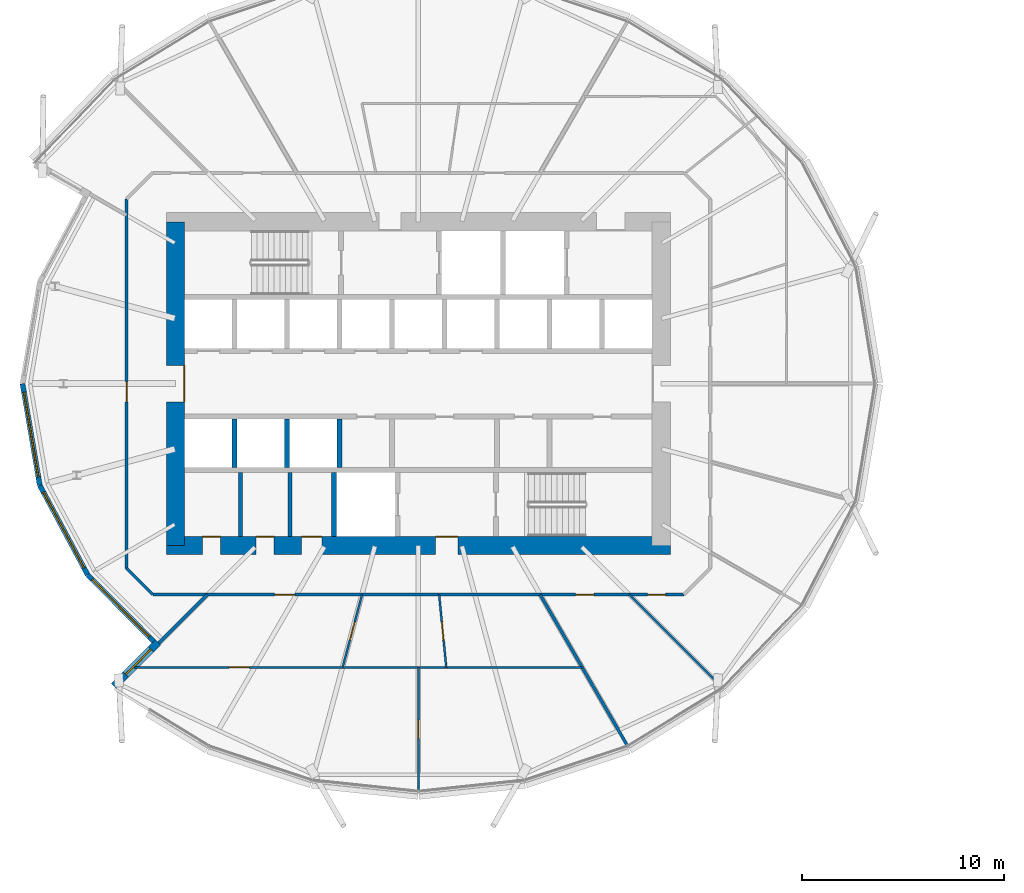
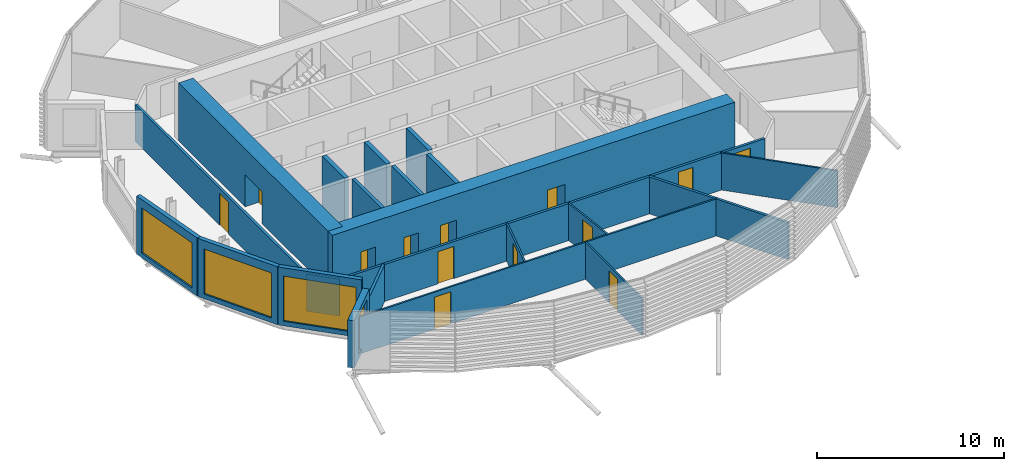
# One storey, part 20 of 38: 23 walls, 13 doors, 4 windows, 17 openings.
"""IFC4 building model written with IfcOpenShell, lengths in metres."""

from ifc_helpers import new_model, si_unit, direction, frame, frame_2d, origin, place, context, subcontext, project, spatial, rectangle, extrude, material, layer, layer_set, type_object, element, fill, save


model = new_model("IFC4")

# Units and contexts
model_context = context("Model", 3, precision=1e-05, world=origin(), true_north=direction((0.0, 1.0)))
body_context = subcontext(model_context, "Body", "Model", "MODEL_VIEW")
ifc_project = project(units=[si_unit("LENGTHUNIT", "METRE"), si_unit("AREAUNIT", "SQUARE_METRE"), si_unit("VOLUMEUNIT", "CUBIC_METRE"), si_unit("PLANEANGLEUNIT", "RADIAN"), si_unit("MASSUNIT", "GRAM", prefix="KILO")], contexts=[model_context])

# Site, building, storey
site_placement = place(None, origin())
site = spatial("IfcSite", under=ifc_project, at=site_placement, CompositionType="ELEMENT")
building_placement = place(site_placement, origin())
building = spatial("IfcBuilding", under=site, at=building_placement, Name="Rimbun Link Towers", CompositionType="ELEMENT")
storey_placement = place(building_placement, frame((0.0, 0.0, 49.0)))
storey = spatial("IfcBuildingStorey", under=building, at=storey_placement, Name="L11", CompositionType="ELEMENT", Elevation=49.0)

# Wall, opening, window
ifc_material_1 = material(Name="Dark enamelled glass spandrel on insulated aluminium backpan", Category="aluminium")
ifc_layer_1 = layer(ifc_material_1, 0.25)
ifc_layer_set_1 = layer_set([ifc_layer_1], Name="CS dark enamelled spandrel wall 250")
wall_type_1 = type_object("IfcWallType", Name="CS dark enamelled spandrel wall 250", PredefinedType="STANDARD", material=ifc_layer_set_1)
wall_1_placement = place(storey_placement, frame((-50.4658203125, -5.023681640625, 0.0), z_axis=(0.0, 0.0, 1.0), x_axis=(-0.167358464332, 0.985896112385, 0.0)))
wall_1 = element("IfcWall", 1, at=wall_1_placement, inside=storey, type_object=wall_type_1, Name="Crease spandrel wall", PredefinedType="STANDARD", context=body_context, shape_type="SweptSolid", body=[
    extrude(rectangle(XDim=5.095458984375, YDim=0.25, at=frame_2d((2.5478515625, 0.0))), origin(), (0.0, 0.0, 1.0), 3.800048828125),
])
opening_1_placement = place(wall_1_placement, frame((0.4228515625, 0.0, 0.300048828125)))
opening_1 = element("IfcOpeningElement", 2, at=opening_1_placement, cuts=wall_1, Name="Opening WR42H295", PredefinedType="OPENING", context=body_context, shape_type="SweptSolid", body=[
    extrude(rectangle(XDim=4.25, YDim=2.949951171875, at=frame_2d((2.125, 1.47509765625))), frame((0.0, 0.135009765625, 0.0), z_axis=(0.0, -1.0, 0.0), x_axis=(1.0, 0.0, 0.0)), (0.0, 0.0, 1.0), 0.27001953125),
])
ifc_material_2 = material(Name="Aluminium framed fixed window, dark tinted low-e glass", Category="aluminium")
window_type_1 = type_object("IfcWindowType", Name="WR ribbon window 4250X2950", PartitioningType="SINGLE_PANEL", PredefinedType="WINDOW", material=ifc_material_2)
window_1_placement = place(opening_1_placement, origin())
window_1 = element("IfcWindow", 3, at=window_1_placement, inside=storey, type_object=window_type_1, Name="Crease ribbon window", OverallHeight=2.949951171875, OverallWidth=4.25, PartitioningType="SINGLE_PANEL", PredefinedType="WINDOW", context=body_context, shape_type="SweptSolid", body=[
    extrude(rectangle(XDim=4.25, YDim=2.949951171875, at=frame_2d((2.125, 1.47509765625))), frame((0.0, 0.030029296875, 0.0), z_axis=(0.0, -1.0, 0.0), x_axis=(1.0, 0.0, 0.0)), (0.0, 0.0, 1.0), 0.06005859375),
])
fill(opening_1, window_1)

wall_2_placement = place(storey_placement, frame((-48.095947265625, -9.453857421875, 0.0), z_axis=(0.0, 0.0, 1.0), x_axis=(-0.47169003293, 0.8817644316, 0.0)))
wall_2 = element("IfcWall", 4, at=wall_2_placement, inside=storey, type_object=wall_type_1, Name="Crease spandrel wall", PredefinedType="STANDARD", context=body_context, shape_type="SweptSolid", body=[
    extrude(rectangle(XDim=5.024169921875, YDim=0.25, at=frame_2d((2.51220703125, 0.0))), origin(), (0.0, 0.0, 1.0), 3.800048828125),
])
opening_2_placement = place(wall_2_placement, frame((0.386962890625, 0.0, 0.300048828125)))
opening_2 = element("IfcOpeningElement", 5, at=opening_2_placement, cuts=wall_2, Name="Opening WR42H295", PredefinedType="OPENING", context=body_context, shape_type="SweptSolid", body=[
    extrude(rectangle(XDim=4.25, YDim=2.949951171875, at=frame_2d((2.125, 1.47509765625))), frame((0.0, 0.135009765625, 0.0), z_axis=(0.0, -1.0, 0.0), x_axis=(1.0, 0.0, 0.0)), (0.0, 0.0, 1.0), 0.27001953125),
])
window_2_placement = place(opening_2_placement, origin())
window_2 = element("IfcWindow", 6, at=window_2_placement, inside=storey, type_object=window_type_1, Name="Crease ribbon window", OverallHeight=2.949951171875, OverallWidth=4.25, PartitioningType="SINGLE_PANEL", PredefinedType="WINDOW", context=body_context, shape_type="SweptSolid", body=[
    extrude(rectangle(XDim=4.25, YDim=2.949951171875, at=frame_2d((2.125, 1.47509765625))), frame((0.0, 0.030029296875, 0.0), z_axis=(0.0, -1.0, 0.0), x_axis=(1.0, 0.0, 0.0)), (0.0, 0.0, 1.0), 0.06005859375),
])
fill(opening_2, window_2)

wall_3_placement = place(storey_placement, frame((-44.8359375, -12.732421875, 0.0), z_axis=(0.0, 0.0, 1.0), x_axis=(-0.70509736634, 0.709110501953, 0.0)))
wall_3 = element("IfcWall", 7, at=wall_3_placement, inside=storey, type_object=wall_type_1, Name="Crease spandrel wall", PredefinedType="STANDARD", context=body_context, shape_type="SweptSolid", body=[
    extrude(rectangle(XDim=4.62353515625, YDim=0.25, at=frame_2d((2.311767578125, 0.0))), origin(), (0.0, 0.0, 1.0), 3.800048828125),
])
opening_3_placement = place(wall_3_placement, frame((0.311767578125, 0.0, 0.300048828125)))
opening_3 = element("IfcOpeningElement", 8, at=opening_3_placement, cuts=wall_3, Name="Opening WR40H295", PredefinedType="OPENING", context=body_context, shape_type="SweptSolid", body=[
    extrude(rectangle(XDim=4.0, YDim=2.949951171875, at=frame_2d((2.0, 1.47509765625))), frame((0.0, 0.135009765625, 0.0), z_axis=(0.0, -1.0, 0.0), x_axis=(1.0, 0.0, 0.0)), (0.0, 0.0, 1.0), 0.27001953125),
])
ifc_material_3 = material(Name="Aluminium framed fixed window, dark tinted low-e glass", Category="aluminium")
window_type_2 = type_object("IfcWindowType", Name="WR ribbon window 4000X2950", PartitioningType="SINGLE_PANEL", PredefinedType="WINDOW", material=ifc_material_3)
window_3_placement = place(opening_3_placement, origin())
window_3 = element("IfcWindow", 9, at=window_3_placement, inside=storey, type_object=window_type_2, Name="Crease ribbon window", OverallHeight=2.949951171875, OverallWidth=4.0, PartitioningType="SINGLE_PANEL", PredefinedType="WINDOW", context=body_context, shape_type="SweptSolid", body=[
    extrude(rectangle(XDim=4.0, YDim=2.949951171875, at=frame_2d((2.0, 1.47509765625))), frame((0.0, 0.030029296875, 0.0), z_axis=(0.0, -1.0, 0.0), x_axis=(1.0, 0.0, 0.0)), (0.0, 0.0, 1.0), 0.06005859375),
])
fill(opening_3, window_3)

ifc_material_4 = material(Name="Dark enamelled glass spandrel on insulated aluminium backpan", Category="aluminium")
ifc_layer_2 = layer(ifc_material_4, 0.3701171875)
ifc_layer_set_2 = layer_set([ifc_layer_2], Name="CS dark enamelled spandrel wall 370")
wall_type_2 = type_object("IfcWallType", Name="CS dark enamelled spandrel wall 370", PredefinedType="STANDARD", material=ifc_layer_set_2)
wall_4_placement = place(storey_placement, frame((-46.794921875, -14.953125, 0.0), z_axis=(0.0, 0.0, 1.0), x_axis=(0.707067146267, 0.707146413884, 0.0)))
wall_4 = element("IfcWall", 10, at=wall_4_placement, inside=storey, type_object=wall_type_2, Name="Crease spandrel wall", PredefinedType="STANDARD", context=body_context, shape_type="SweptSolid", body=[
    extrude(rectangle(XDim=3.079833984375, YDim=0.3701171875, at=frame_2d((1.5400390625, 0.0))), origin(), (0.0, 0.0, 1.0), 3.0966796875),
])
opening_4_placement = place(wall_4_placement, frame((0.827880859375, 0.0, 0.300048828125)))
opening_4 = element("IfcOpeningElement", 11, at=opening_4_placement, cuts=wall_4, Name="Opening WR18H245", PredefinedType="OPENING", context=body_context, shape_type="SweptSolid", body=[
    extrude(rectangle(XDim=1.75, YDim=2.449951171875, at=frame_2d((0.875, 1.22509765625))), frame((0.0, 0.195068359375, 0.0), z_axis=(0.0, -1.0, 0.0), x_axis=(1.0, 0.0, 0.0)), (0.0, 0.0, 1.0), 0.39013671875),
])
ifc_material_5 = material(Name="Aluminium framed fixed window, dark tinted low-e glass", Category="aluminium")
window_type_3 = type_object("IfcWindowType", Name="WR ribbon window 1750X2450", PartitioningType="SINGLE_PANEL", PredefinedType="WINDOW", material=ifc_material_5)
window_4_placement = place(opening_4_placement, origin())
window_4 = element("IfcWindow", 12, at=window_4_placement, inside=storey, type_object=window_type_3, Name="Crease ribbon window", OverallHeight=2.449951171875, OverallWidth=1.75, PartitioningType="SINGLE_PANEL", PredefinedType="WINDOW", context=body_context, shape_type="SweptSolid", body=[
    extrude(rectangle(XDim=1.75, YDim=2.449951171875, at=frame_2d((0.875, 1.22509765625))), frame((0.0, 0.030029296875, 0.0), z_axis=(0.0, -1.0, 0.0), x_axis=(1.0, 0.0, 0.0)), (0.0, 0.0, 1.0), 0.06005859375),
])
fill(opening_4, window_4)

# Walls
ifc_material_6 = material(Name="Masonry blockwork", Category="masonry")
ifc_layer_3 = layer(ifc_material_6, 0.199951171875)
ifc_layer_set_3 = layer_set([ifc_layer_3], Name="Core partition 200")
wall_type_3 = type_object("IfcWallType", Name="Core partition 200", PredefinedType="PARTITIONING", material=ifc_layer_set_3)
for number, where, z_axis, x_axis, name in (
    (13, (-40.550048828125, -4.39990234375, 0.0), (0.0, 0.0, 1.0), (0.0, -1.0, 0.0), "L11 T1 core wall C1"),
    (14, (-38.10009765625, -4.39990234375, 0.0), (0.0, 0.0, 1.0), (0.0, -1.0, 0.0), "L11 T1 core wall C2"),
):
    element("IfcWall", number, at=place(storey_placement, frame(where, z_axis=z_axis, x_axis=x_axis)), inside=storey, type_object=wall_type_3, Name=name, PredefinedType="PARTITIONING", context=body_context, shape_type="SweptSolid", body=[
        extrude(rectangle(XDim=3.150146484375, YDim=0.199951171875, at=frame_2d((1.5751953125, 0.0))), origin(), (0.0, 0.0, 1.0), 3.800048828125),
    ])

# Wall, openings, doors
ifc_material_7 = material(Name="Concrete C60/75", Category="concrete")
ifc_layer_4 = layer(ifc_material_7, 0.89990234375)
ifc_layer_set_4 = layer_set([ifc_layer_4], Name="Core shear wall 900")
wall_type_4 = type_object("IfcWallType", Name="Core shear wall 900", PredefinedType="SHEAR", material=ifc_layer_set_4)
wall_5_placement = place(storey_placement, frame((-44.199951171875, -8.0, 0.0), z_axis=(0.0, 0.0, 1.0), x_axis=(1.0, 0.0, 0.0)))
wall_5 = element("IfcWall", 15, at=wall_5_placement, inside=storey, type_object=wall_type_4, Name="L11 T1 core wall S", PredefinedType="SHEAR", context=body_context, shape_type="SweptSolid", body=[
    extrude(rectangle(XDim=24.89990234375, YDim=0.89990234375, at=frame_2d((12.449951171875, 0.0))), origin(), (0.0, 0.0, 1.0), 3.800048828125),
])
opening_5_placement = place(wall_5_placement, frame((13.300048828125, 0.0, 0.0)))
opening_5 = element("IfcOpeningElement", 16, at=opening_5_placement, cuts=wall_5, Name="Opening C1DCF01S", PredefinedType="OPENING", context=body_context, shape_type="SweptSolid", body=[
    extrude(rectangle(XDim=1.10009765625, YDim=2.10009765625, at=frame_2d((0.550048828125, 1.050048828125))), frame((0.0, 0.4599609375, 0.0), z_axis=(0.0, -1.0, 0.0), x_axis=(1.0, 0.0, 0.0)), (0.0, 0.0, 1.0), 0.919921875),
])
opening_6_placement = place(wall_5_placement, frame((1.77490234375, 0.0, 0.0)))
opening_6 = element("IfcOpeningElement", 17, at=opening_6_placement, cuts=wall_5, Name="Opening C1DWC02S", PredefinedType="OPENING", context=body_context, shape_type="SweptSolid", body=[
    extrude(rectangle(XDim=0.89990234375, YDim=2.10009765625, at=frame_2d((0.449951171875, 1.050048828125))), frame((0.0, 0.4599609375, 0.0), z_axis=(0.0, -1.0, 0.0), x_axis=(1.0, 0.0, 0.0)), (0.0, 0.0, 1.0), 0.919921875),
])
opening_7_placement = place(wall_5_placement, frame((4.425048828125, 0.0, 0.0)))
opening_7 = element("IfcOpeningElement", 18, at=opening_7_placement, cuts=wall_5, Name="Opening C1DWC03S", PredefinedType="OPENING", context=body_context, shape_type="SweptSolid", body=[
    extrude(rectangle(XDim=0.89990234375, YDim=2.10009765625, at=frame_2d((0.449951171875, 1.050048828125))), frame((0.0, 0.4599609375, 0.0), z_axis=(0.0, -1.0, 0.0), x_axis=(1.0, 0.0, 0.0)), (0.0, 0.0, 1.0), 0.919921875),
])
opening_8_placement = place(wall_5_placement, frame((6.675048828125, 0.0, 0.0)))
opening_8 = element("IfcOpeningElement", 19, at=opening_8_placement, cuts=wall_5, Name="Opening C1DAW04S", PredefinedType="OPENING", context=body_context, shape_type="SweptSolid", body=[
    extrude(rectangle(XDim=1.0, YDim=2.10009765625, at=frame_2d((0.5, 1.050048828125))), frame((0.0, 0.4599609375, 0.0), z_axis=(0.0, -1.0, 0.0), x_axis=(1.0, 0.0, 0.0)), (0.0, 0.0, 1.0), 0.919921875),
])
ifc_material_8 = material(Name="Timber", Category="wood")
door_type_1 = type_object("IfcDoorType", Name="Accessible WC door", OperationType="SINGLE_SWING_LEFT", PredefinedType="DOOR", material=ifc_material_8)
door_1_placement = place(opening_8_placement, origin())
door_1 = element("IfcDoor", 20, at=door_1_placement, inside=storey, type_object=door_type_1, Name="L11 T1 accessible wc door", OperationType="SINGLE_SWING_RIGHT", OverallHeight=2.10009765625, OverallWidth=1.0, PredefinedType="DOOR", context=body_context, shape_type="SweptSolid", body=[
    extrude(rectangle(XDim=1.0, YDim=2.10009765625, at=frame_2d((0.5, 1.050048828125))), frame((0.0, 0.4501953125, 0.0), z_axis=(0.0, -1.0, 0.0), x_axis=(1.0, 0.0, 0.0)), (0.0, 0.0, 1.0), 0.050048828125),
])
fill(opening_8, door_1)
ifc_material_9 = material(Name="Steel fire door set", Category="steel")
door_type_2 = type_object("IfcDoorType", Name="Core fire door single", OperationType="SINGLE_SWING_LEFT", PredefinedType="DOOR", material=ifc_material_9)
door_2_placement = place(opening_5_placement, origin())
door_2 = element("IfcDoor", 21, at=door_2_placement, inside=storey, type_object=door_type_2, Name="L11 T1 firefighting lobby s door", OperationType="SINGLE_SWING_RIGHT", OverallHeight=2.10009765625, OverallWidth=1.10009765625, PredefinedType="DOOR", context=body_context, shape_type="SweptSolid", body=[
    extrude(rectangle(XDim=1.10009765625, YDim=2.10009765625, at=frame_2d((0.550048828125, 1.050048828125))), frame((0.0, 0.4501953125, 0.0), z_axis=(0.0, -1.0, 0.0), x_axis=(1.0, 0.0, 0.0)), (0.0, 0.0, 1.0), 0.050048828125),
])
fill(opening_5, door_2)
ifc_material_10 = material(Name="Timber", Category="wood")
door_type_3 = type_object("IfcDoorType", Name="WC door", OperationType="SINGLE_SWING_LEFT", PredefinedType="DOOR", material=ifc_material_10)
door_3_placement = place(opening_6_placement, origin())
door_3 = element("IfcDoor", 22, at=door_3_placement, inside=storey, type_object=door_type_3, Name="L11 T1 male wc door", OperationType="SINGLE_SWING_LEFT", OverallHeight=2.10009765625, OverallWidth=0.89990234375, PredefinedType="DOOR", context=body_context, shape_type="SweptSolid", body=[
    extrude(rectangle(XDim=0.89990234375, YDim=2.10009765625, at=frame_2d((0.449951171875, 1.050048828125))), frame((0.0, 0.4501953125, 0.0), z_axis=(0.0, -1.0, 0.0), x_axis=(1.0, 0.0, 0.0)), (0.0, 0.0, 1.0), 0.050048828125),
])
fill(opening_6, door_3)
door_4_placement = place(opening_7_placement, origin())
door_4 = element("IfcDoor", 23, at=door_4_placement, inside=storey, type_object=door_type_3, Name="L11 T1 female wc door", OperationType="SINGLE_SWING_RIGHT", OverallHeight=2.10009765625, OverallWidth=0.89990234375, PredefinedType="DOOR", context=body_context, shape_type="SweptSolid", body=[
    extrude(rectangle(XDim=0.89990234375, YDim=2.10009765625, at=frame_2d((0.449951171875, 1.050048828125))), frame((0.0, 0.4501953125, 0.0), z_axis=(0.0, -1.0, 0.0), x_axis=(1.0, 0.0, 0.0)), (0.0, 0.0, 1.0), 0.050048828125),
])
fill(opening_7, door_4)

# Wall, opening, door
wall_6_placement = place(storey_placement, frame((-43.75, -8.0, 0.0), z_axis=(0.0, 0.0, 1.0), x_axis=(0.0, 1.0, 0.0)))
wall_6 = element("IfcWall", 24, at=wall_6_placement, inside=storey, type_object=wall_type_4, Name="L11 T1 core wall W", PredefinedType="SHEAR", context=body_context, shape_type="SweptSolid", body=[
    extrude(rectangle(XDim=16.0, YDim=0.89990234375, at=frame_2d((8.0, 0.0))), origin(), (0.0, 0.0, 1.0), 3.800048828125),
])
opening_9_placement = place(wall_6_placement, frame((7.10009765625, 0.0, 0.0)))
opening_9 = element("IfcOpeningElement", 25, at=opening_9_placement, cuts=wall_6, Name="Opening C1DCL01W", PredefinedType="OPENING", context=body_context, shape_type="SweptSolid", body=[
    extrude(rectangle(XDim=1.800048828125, YDim=2.10009765625, at=frame_2d((0.89990234375, 1.050048828125))), frame((0.0, 0.4599609375, 0.0), z_axis=(0.0, -1.0, 0.0), x_axis=(1.0, 0.0, 0.0)), (0.0, 0.0, 1.0), 0.919921875),
])
ifc_material_11 = material(Name="Steel fire door set", Category="steel")
door_type_4 = type_object("IfcDoorType", Name="Core lobby door double", OperationType="DOUBLE_DOOR_SINGLE_SWING", PredefinedType="DOOR", material=ifc_material_11)
door_5_placement = place(opening_9_placement, origin())
door_5 = element("IfcDoor", 26, at=door_5_placement, inside=storey, type_object=door_type_4, Name="L11 T1 lift lobby door", OperationType="DOUBLE_DOOR_SINGLE_SWING", OverallHeight=2.10009765625, OverallWidth=1.800048828125, PredefinedType="DOOR", context=body_context, shape_type="SweptSolid", body=[
    extrude(rectangle(XDim=1.800048828125, YDim=2.10009765625, at=frame_2d((0.89990234375, 1.050048828125))), frame((0.0, -0.39990234375, 0.0), z_axis=(0.0, -1.0, 0.0), x_axis=(1.0, 0.0, 0.0)), (0.0, 0.0, 1.0), 0.050048828125),
])
fill(opening_9, door_5)

# Wall, openings, doors
ifc_material_12 = material(Name="Plasterboard on steel stud, mineral wool", Category="steel")
ifc_layer_5 = layer(ifc_material_12, 0.14990234375)
ifc_layer_set_5 = layer_set([ifc_layer_5], Name="Corridor wall EI 30 150 mm")
wall_type_5 = type_object("IfcWallType", Name="Corridor wall EI 30 150 mm", PredefinedType="PARTITIONING", material=ifc_layer_set_5)
wall_7_placement = place(storey_placement, frame((-18.623291015625, -10.425048828125, 0.0), z_axis=(0.0, 0.0, 1.0), x_axis=(-1.0, 0.0, 0.0)))
wall_7 = element("IfcWall", 27, at=wall_7_placement, inside=storey, type_object=wall_type_5, Name="Corridor wall EI 30 150 mm", PredefinedType="PARTITIONING", context=body_context, shape_type="SweptSolid", body=[
    extrude(rectangle(XDim=26.25341796875, YDim=0.14990234375, at=frame_2d((13.126708984375, 0.0))), origin(), (0.0, 0.0, 1.0), 2.419921875),
])
opening_10_placement = place(wall_7_placement, frame((19.231689453125, 0.0, 0.0)))
opening_10 = element("IfcOpeningElement", 28, at=opening_10_placement, cuts=wall_7, Name="Opening D01", PredefinedType="OPENING", context=body_context, shape_type="SweptSolid", body=[
    extrude(rectangle(XDim=1.0, YDim=2.10009765625, at=frame_2d((0.5, 1.050048828125))), frame((0.0, 0.0849609375, 0.0), z_axis=(0.0, -1.0, 0.0), x_axis=(1.0, 0.0, 0.0)), (0.0, 0.0, 1.0), 0.169921875),
])
opening_11_placement = place(wall_7_placement, frame((4.454833984375, 0.0, 0.0)))
opening_11 = element("IfcOpeningElement", 29, at=opening_11_placement, cuts=wall_7, Name="Opening D02", PredefinedType="OPENING", context=body_context, shape_type="SweptSolid", body=[
    extrude(rectangle(XDim=0.89990234375, YDim=2.10009765625, at=frame_2d((0.449951171875, 1.050048828125))), frame((0.0, 0.0849609375, 0.0), z_axis=(0.0, -1.0, 0.0), x_axis=(1.0, 0.0, 0.0)), (0.0, 0.0, 1.0), 0.169921875),
])
opening_12_placement = place(wall_7_placement, frame((0.90087890625, 0.0, 0.0)))
opening_12 = element("IfcOpeningElement", 30, at=opening_12_placement, cuts=wall_7, Name="Opening D02", PredefinedType="OPENING", context=body_context, shape_type="SweptSolid", body=[
    extrude(rectangle(XDim=0.89990234375, YDim=2.10009765625, at=frame_2d((0.449951171875, 1.050048828125))), frame((0.0, 0.0849609375, 0.0), z_axis=(0.0, -1.0, 0.0), x_axis=(1.0, 0.0, 0.0)), (0.0, 0.0, 1.0), 0.169921875),
])
ifc_material_13 = material(Name="Fire-resisting timber door leaf", Category="wood")
door_type_5 = type_object("IfcDoorType", Name="Fire door FD30S 1000", OperationType="NOTDEFINED", PredefinedType="DOOR", material=ifc_material_13)
door_6_placement = place(opening_10_placement, origin())
door_6 = element("IfcDoor", 31, at=door_6_placement, inside=storey, type_object=door_type_5, Name="Fire door FD30S 1000 to Reception", OperationType="SINGLE_SWING_LEFT", OverallHeight=2.10009765625, OverallWidth=1.0, PredefinedType="DOOR", context=body_context, shape_type="SweptSolid", body=[
    extrude(rectangle(XDim=1.0, YDim=2.10009765625, at=frame_2d((0.5, 1.050048828125))), frame((0.0, 0.02490234375, 0.0), z_axis=(0.0, -1.0, 0.0), x_axis=(1.0, 0.0, 0.0)), (0.0, 0.0, 1.0), 0.050048828125),
])
fill(opening_10, door_6)
ifc_material_14 = material(Name="Fire-resisting timber door leaf", Category="wood")
door_type_6 = type_object("IfcDoorType", Name="Fire door FD30S 900", OperationType="NOTDEFINED", PredefinedType="DOOR", material=ifc_material_14)
door_7_placement = place(opening_11_placement, origin())
door_7 = element("IfcDoor", 32, at=door_7_placement, inside=storey, type_object=door_type_6, Name="Fire door FD30S 900 to Cellular office", OperationType="SINGLE_SWING_RIGHT", OverallHeight=2.10009765625, OverallWidth=0.89990234375, PredefinedType="DOOR", context=body_context, shape_type="SweptSolid", body=[
    extrude(rectangle(XDim=0.89990234375, YDim=2.10009765625, at=frame_2d((0.449951171875, 1.050048828125))), frame((0.0, 0.02490234375, 0.0), z_axis=(0.0, -1.0, 0.0), x_axis=(1.0, 0.0, 0.0)), (0.0, 0.0, 1.0), 0.050048828125),
])
fill(opening_11, door_7)
door_8_placement = place(opening_12_placement, origin())
door_8 = element("IfcDoor", 33, at=door_8_placement, inside=storey, type_object=door_type_6, Name="Fire door FD30S 900 to Cellular office", OperationType="SINGLE_SWING_LEFT", OverallHeight=2.10009765625, OverallWidth=0.89990234375, PredefinedType="DOOR", context=body_context, shape_type="SweptSolid", body=[
    extrude(rectangle(XDim=0.89990234375, YDim=2.10009765625, at=frame_2d((0.449951171875, 1.050048828125))), frame((0.0, 0.02490234375, 0.0), z_axis=(0.0, -1.0, 0.0), x_axis=(1.0, 0.0, 0.0)), (0.0, 0.0, 1.0), 0.050048828125),
])
fill(opening_12, door_8)

# Wall
wall_8_placement = place(storey_placement, frame((-46.175048828125, -9.126708984375, 0.0), z_axis=(0.0, 0.0, 1.0), x_axis=(0.707106781187, -0.707106781187, 0.0)))
element("IfcWall", 34, at=wall_8_placement, inside=storey, type_object=wall_type_5, Name="Corridor wall EI 30 150 mm", PredefinedType="PARTITIONING", context=body_context, shape_type="SweptSolid", body=[
    extrude(rectangle(XDim=1.836181640625, YDim=0.14990234375, at=frame_2d((0.91796875, 0.0))), origin(), (0.0, 0.0, 1.0), 2.419921875),
])

# Wall, opening, door
wall_9_placement = place(storey_placement, frame((-46.175048828125, -9.126708984375, 0.0), z_axis=(0.0, 0.0, 1.0), x_axis=(0.0, 1.0, 0.0)))
wall_9 = element("IfcWall", 35, at=wall_9_placement, inside=storey, type_object=wall_type_5, Name="Corridor wall EI 30 150 mm", PredefinedType="PARTITIONING", context=body_context, shape_type="SweptSolid", body=[
    extrude(rectangle(XDim=18.25341796875, YDim=0.14990234375, at=frame_2d((9.126708984375, 0.0))), origin(), (0.0, 0.0, 1.0), 2.419921875),
])
opening_13_placement = place(wall_9_placement, frame((8.2275390625, 0.0, 0.0)))
opening_13 = element("IfcOpeningElement", 36, at=opening_13_placement, cuts=wall_9, Name="Opening D01", PredefinedType="OPENING", context=body_context, shape_type="SweptSolid", body=[
    extrude(rectangle(XDim=1.0, YDim=2.10009765625, at=frame_2d((0.5, 1.050048828125))), frame((0.0, 0.0849609375, 0.0), z_axis=(0.0, -1.0, 0.0), x_axis=(1.0, 0.0, 0.0)), (0.0, 0.0, 1.0), 0.169921875),
])
door_9_placement = place(opening_13_placement, origin())
door_9 = element("IfcDoor", 37, at=door_9_placement, inside=storey, type_object=door_type_5, Name="Fire door FD30S 1000 to Terrace office", OperationType="SINGLE_SWING_RIGHT", OverallHeight=2.10009765625, OverallWidth=1.0, PredefinedType="DOOR", context=body_context, shape_type="SweptSolid", body=[
    extrude(rectangle(XDim=1.0, YDim=2.10009765625, at=frame_2d((0.5, 1.050048828125))), frame((0.0, 0.02490234375, 0.0), z_axis=(0.0, -1.0, 0.0), x_axis=(1.0, 0.0, 0.0)), (0.0, 0.0, 1.0), 0.050048828125),
])
fill(opening_13, door_9)

ifc_material_15 = material(Name="Plasterboard on steel stud", Category="steel")
ifc_layer_6 = layer(ifc_material_15, 0.10009765625)
ifc_layer_set_6 = layer_set([ifc_layer_6], Name="Plasterboard partition 100 mm")
wall_type_6 = type_object("IfcWallType", Name="Plasterboard partition 100 mm", PredefinedType="PARTITIONING", material=ifc_layer_set_6)
wall_10_placement = place(storey_placement, frame((-34.53515625, -10.425048828125, 0.0), z_axis=(0.0, 0.0, 1.0), x_axis=(-0.258090828654, -0.966120657146, 0.0)))
wall_10 = element("IfcWall", 38, at=wall_10_placement, inside=storey, type_object=wall_type_6, Name="Plasterboard partition 100 mm", PredefinedType="PARTITIONING", context=body_context, shape_type="SweptSolid", body=[
    extrude(rectangle(XDim=3.72607421875, YDim=0.10009765625, at=frame_2d((1.863037109375, 0.0))), origin(), (0.0, 0.0, 1.0), 2.419921875),
])
opening_14_placement = place(wall_10_placement, frame((1.4130859375, 0.0, 0.0)))
opening_14 = element("IfcOpeningElement", 39, at=opening_14_placement, cuts=wall_10, Name="Opening D04", PredefinedType="OPENING", context=body_context, shape_type="SweptSolid", body=[
    extrude(rectangle(XDim=0.89990234375, YDim=2.10009765625, at=frame_2d((0.449951171875, 1.050048828125))), frame((0.0, 0.06005859375, 0.0), z_axis=(0.0, -1.0, 0.0), x_axis=(1.0, 0.0, 0.0)), (0.0, 0.0, 1.0), 0.1201171875),
])
ifc_material_16 = material(Name="Timber door leaf", Category="wood")
door_type_7 = type_object("IfcDoorType", Name="Flush door 900", OperationType="NOTDEFINED", PredefinedType="DOOR", material=ifc_material_16)
door_10_placement = place(opening_14_placement, origin())
door_10 = element("IfcDoor", 40, at=door_10_placement, inside=storey, type_object=door_type_7, Name="Flush door 900 to Meeting room", OperationType="SINGLE_SWING_LEFT", OverallHeight=2.10009765625, OverallWidth=0.89990234375, PredefinedType="DOOR", context=body_context, shape_type="SweptSolid", body=[
    extrude(rectangle(XDim=0.89990234375, YDim=2.10009765625, at=frame_2d((0.449951171875, 1.050048828125))), frame((0.0, 0.02490234375, 0.0), z_axis=(0.0, -1.0, 0.0), x_axis=(1.0, 0.0, 0.0)), (0.0, 0.0, 1.0), 0.050048828125),
])
fill(opening_14, door_10)

wall_11_placement = place(storey_placement, frame((-31.75, -14.02490234375, 0.0), z_axis=(0.0, 0.0, 1.0), x_axis=(-1.0, 0.0, 0.0)))
wall_11 = element("IfcWall", 41, at=wall_11_placement, inside=storey, type_object=wall_type_6, Name="Plasterboard partition 100 mm", PredefinedType="PARTITIONING", context=body_context, shape_type="SweptSolid", body=[
    extrude(rectangle(XDim=14.02490234375, YDim=0.10009765625, at=frame_2d((7.012451171875, 0.0))), origin(), (0.0, 0.0, 1.0), 2.419921875),
])
opening_15_placement = place(wall_11_placement, frame((8.370361328125, 0.0, 0.0)))
opening_15 = element("IfcOpeningElement", 42, at=opening_15_placement, cuts=wall_11, Name="Opening D03", PredefinedType="OPENING", context=body_context, shape_type="SweptSolid", body=[
    extrude(rectangle(XDim=1.0, YDim=2.10009765625, at=frame_2d((0.5, 1.050048828125))), frame((0.0, 0.06005859375, 0.0), z_axis=(0.0, -1.0, 0.0), x_axis=(1.0, 0.0, 0.0)), (0.0, 0.0, 1.0), 0.1201171875),
])
ifc_material_17 = material(Name="Timber door leaf", Category="wood")
door_type_8 = type_object("IfcDoorType", Name="Flush door 1000", OperationType="NOTDEFINED", PredefinedType="DOOR", material=ifc_material_17)
door_11_placement = place(opening_15_placement, origin())
door_11 = element("IfcDoor", 43, at=door_11_placement, inside=storey, type_object=door_type_8, Name="Flush door 1000 to Co-working space", OperationType="SINGLE_SWING_RIGHT", OverallHeight=2.10009765625, OverallWidth=1.0, PredefinedType="DOOR", context=body_context, shape_type="SweptSolid", body=[
    extrude(rectangle(XDim=1.0, YDim=2.10009765625, at=frame_2d((0.5, 1.050048828125))), frame((0.0, 0.02490234375, 0.0), z_axis=(0.0, -1.0, 0.0), x_axis=(1.0, 0.0, 0.0)), (0.0, 0.0, 1.0), 0.050048828125),
])
fill(opening_15, door_11)

wall_12_placement = place(storey_placement, frame((-30.7255859375, -10.425048828125, 0.0), z_axis=(0.0, 0.0, 1.0), x_axis=(0.097866352751, -0.995199566418, 0.0)))
wall_12 = element("IfcWall", 44, at=wall_12_placement, inside=storey, type_object=wall_type_6, Name="Plasterboard partition 100 mm", PredefinedType="PARTITIONING", context=body_context, shape_type="SweptSolid", body=[
    extrude(rectangle(XDim=3.6171875, YDim=0.10009765625, at=frame_2d((1.80859375, 0.0))), origin(), (0.0, 0.0, 1.0), 2.419921875),
])
opening_16_placement = place(wall_12_placement, frame((1.358642578125, 0.0, 0.0)))
opening_16 = element("IfcOpeningElement", 45, at=opening_16_placement, cuts=wall_12, Name="Opening D04", PredefinedType="OPENING", context=body_context, shape_type="SweptSolid", body=[
    extrude(rectangle(XDim=0.89990234375, YDim=2.10009765625, at=frame_2d((0.449951171875, 1.050048828125))), frame((0.0, 0.06005859375, 0.0), z_axis=(0.0, -1.0, 0.0), x_axis=(1.0, 0.0, 0.0)), (0.0, 0.0, 1.0), 0.1201171875),
])
door_12_placement = place(opening_16_placement, origin())
door_12 = element("IfcDoor", 46, at=door_12_placement, inside=storey, type_object=door_type_7, Name="Flush door 900 to Pantry", OperationType="SINGLE_SWING_LEFT", OverallHeight=2.10009765625, OverallWidth=0.89990234375, PredefinedType="DOOR", context=body_context, shape_type="SweptSolid", body=[
    extrude(rectangle(XDim=0.89990234375, YDim=2.10009765625, at=frame_2d((0.449951171875, 1.050048828125))), frame((0.0, 0.02490234375, 0.0), z_axis=(0.0, -1.0, 0.0), x_axis=(1.0, 0.0, 0.0)), (0.0, 0.0, 1.0), 0.050048828125),
])
fill(opening_16, door_12)

# Wall
wall_13_placement = place(storey_placement, frame((-31.75, -14.02490234375, 0.0), z_axis=(0.0, 0.0, 1.0), x_axis=(1.0, 0.0, 0.0)))
element("IfcWall", 47, at=wall_13_placement, inside=storey, type_object=wall_type_6, Name="Plasterboard partition 100 mm", PredefinedType="PARTITIONING", context=body_context, shape_type="SweptSolid", body=[
    extrude(rectangle(XDim=8.097412109375, YDim=0.10009765625, at=frame_2d((4.048828125, 0.0))), origin(), (0.0, 0.0, 1.0), 2.419921875),
])

# Wall, opening, door
wall_14_placement = place(storey_placement, frame((-31.75, -14.02490234375, 0.0), z_axis=(0.0, 0.0, 1.0), x_axis=(0.0, -1.0, 0.0)))
wall_14 = element("IfcWall", 48, at=wall_14_placement, inside=storey, type_object=wall_type_6, Name="Plasterboard partition 100 mm", PredefinedType="PARTITIONING", context=body_context, shape_type="SweptSolid", body=[
    extrude(rectangle(XDim=6.101806640625, YDim=0.10009765625, at=frame_2d((3.05078125, 0.0))), origin(), (0.0, 0.0, 1.0), 2.419921875),
])
opening_17_placement = place(wall_14_placement, frame((2.600830078125, 0.0, 0.0)))
opening_17 = element("IfcOpeningElement", 49, at=opening_17_placement, cuts=wall_14, Name="Opening D04", PredefinedType="OPENING", context=body_context, shape_type="SweptSolid", body=[
    extrude(rectangle(XDim=0.89990234375, YDim=2.10009765625, at=frame_2d((0.449951171875, 1.050048828125))), frame((0.0, 0.06005859375, 0.0), z_axis=(0.0, -1.0, 0.0), x_axis=(1.0, 0.0, 0.0)), (0.0, 0.0, 1.0), 0.1201171875),
])
door_13_placement = place(opening_17_placement, origin())
door_13 = element("IfcDoor", 50, at=door_13_placement, inside=storey, type_object=door_type_7, Name="Flush door 900 to Serviced office", OperationType="SINGLE_SWING_LEFT", OverallHeight=2.10009765625, OverallWidth=0.89990234375, PredefinedType="DOOR", context=body_context, shape_type="SweptSolid", body=[
    extrude(rectangle(XDim=0.89990234375, YDim=2.10009765625, at=frame_2d((0.449951171875, 1.050048828125))), frame((0.0, 0.02490234375, 0.0), z_axis=(0.0, -1.0, 0.0), x_axis=(1.0, 0.0, 0.0)), (0.0, 0.0, 1.0), 0.050048828125),
])
fill(opening_17, door_13)

# Walls
wall_15_placement = place(storey_placement, frame((-16.73681640625, -15.01318359375, 0.0), z_axis=(0.0, 0.0, 1.0), x_axis=(-0.707106781187, 0.707106781187, 0.0)))
element("IfcWall", 51, at=wall_15_placement, inside=storey, type_object=wall_type_6, Name="Plasterboard partition 100 mm", PredefinedType="PARTITIONING", context=body_context, shape_type="SweptSolid", body=[
    extrude(rectangle(XDim=6.488525390625, YDim=0.10009765625, at=frame_2d((3.244140625, 0.0))), origin(), (0.0, 0.0, 1.0), 2.419921875),
])
ifc_material_18 = material(Name="Concrete C60/75", Category="concrete")
ifc_layer_7 = layer(ifc_material_18, 0.25)
ifc_layer_set_7 = layer_set([ifc_layer_7], Name="Shaft wall 250")
wall_type_7 = type_object("IfcWallType", Name="Shaft wall 250", PredefinedType="SHEAR", material=ifc_layer_set_7)
for number, where, z_axis, x_axis, name in (
    (52, (-40.83056640625, -4.14990234375, 0.0), (0.0, 0.0, 1.0), (0.0, 1.0, 0.0), "L11 T1 core wall DS0"),
    (53, (-38.236083984375, -4.14990234375, 0.0), (0.0, 0.0, 1.0), (0.0, 1.0, 0.0), "L11 T1 core wall DS1"),
    (54, (-35.6416015625, -4.14990234375, 0.0), (0.0, 0.0, 1.0), (0.0, 1.0, 0.0), "L11 T1 core wall DS2"),
):
    element("IfcWall", number, at=place(storey_placement, frame(where, z_axis=z_axis, x_axis=x_axis)), inside=storey, type_object=wall_type_7, Name=name, PredefinedType="SHEAR", context=body_context, shape_type="SweptSolid", body=[
        extrude(rectangle(XDim=2.39990234375, YDim=0.25, at=frame_2d((1.199951171875, 0.0))), origin(), (0.0, 0.0, 1.0), 3.800048828125),
    ])
wall_16_placement = place(storey_placement, frame((-35.925048828125, -4.39990234375, 0.0), z_axis=(0.0, 0.0, 1.0), x_axis=(0.0, -1.0, 0.0)))
element("IfcWall", 55, at=wall_16_placement, inside=storey, type_object=wall_type_7, Name="L11 T1 core wall B3", PredefinedType="SHEAR", context=body_context, shape_type="SweptSolid", body=[
    extrude(rectangle(XDim=3.150146484375, YDim=0.25, at=frame_2d((1.5751953125, 0.0))), origin(), (0.0, 0.0, 1.0), 3.800048828125),
])
ifc_material_19 = material(Name="Plasterboard on steel stud, mineral wool", Category="steel")
ifc_layer_8 = layer(ifc_material_19, 0.14990234375)
ifc_layer_set_8 = layer_set([ifc_layer_8], Name="Tenancy separation wall EI 60 150 mm")
wall_type_8 = type_object("IfcWallType", Name="Tenancy separation wall EI 60 150 mm", PredefinedType="PARTITIONING", material=ifc_layer_set_8)
wall_17_placement = place(storey_placement, frame((-42.175048828125, -10.425048828125, 0.0), z_axis=(0.0, 0.0, 1.0), x_axis=(-0.707106781187, -0.707106781187, 0.0)))
element("IfcWall", 56, at=wall_17_placement, inside=storey, type_object=wall_type_8, Name="Tenancy separation wall EI 60 150 mm", PredefinedType="PARTITIONING", context=body_context, shape_type="SweptSolid", body=[
    extrude(rectangle(XDim=3.388916015625, YDim=0.14990234375, at=frame_2d((1.6943359375, 0.0))), origin(), (0.0, 0.0, 1.0), 2.419921875),
])
wall_18_placement = place(storey_placement, frame((-25.731201171875, -10.425048828125, 0.0), z_axis=(0.0, 0.0, 1.0), x_axis=(0.500010951303, -0.866019080954, 0.0)))
element("IfcWall", 57, at=wall_18_placement, inside=storey, type_object=wall_type_8, Name="Tenancy separation wall EI 60 150 mm", PredefinedType="PARTITIONING", context=body_context, shape_type="SweptSolid", body=[
    extrude(rectangle(XDim=8.619384765625, YDim=0.14990234375, at=frame_2d((4.3095703125, 0.0))), origin(), (0.0, 0.0, 1.0), 2.419921875),
])

save(model, "model.ifc")
